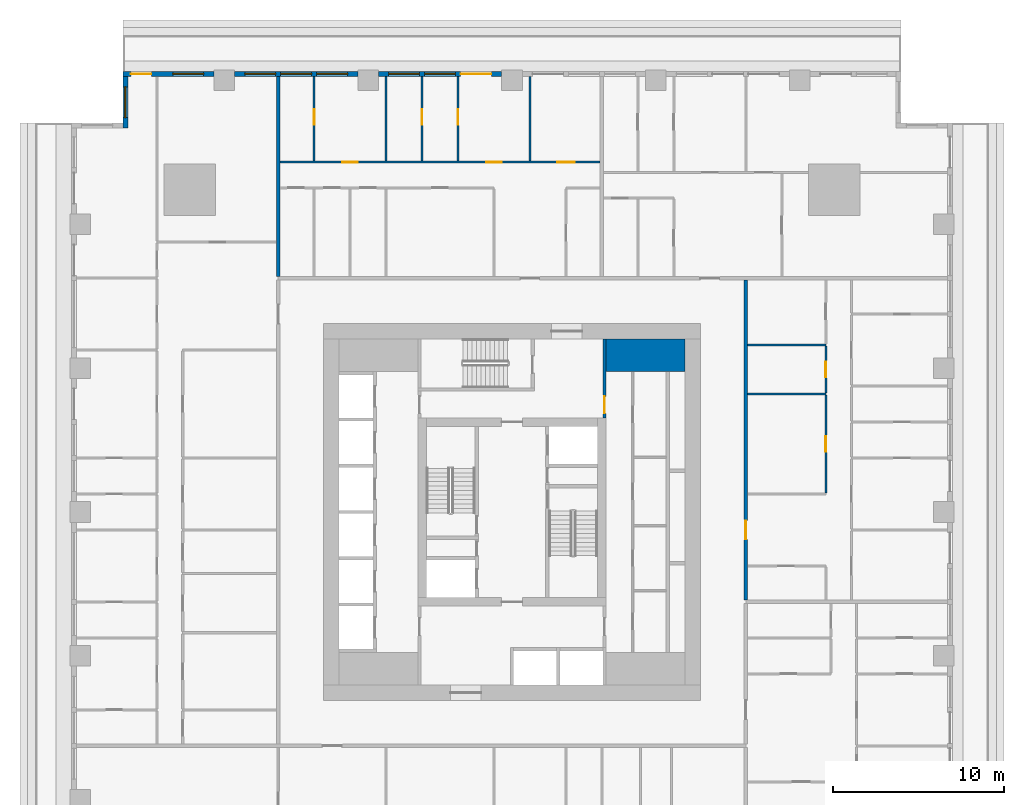
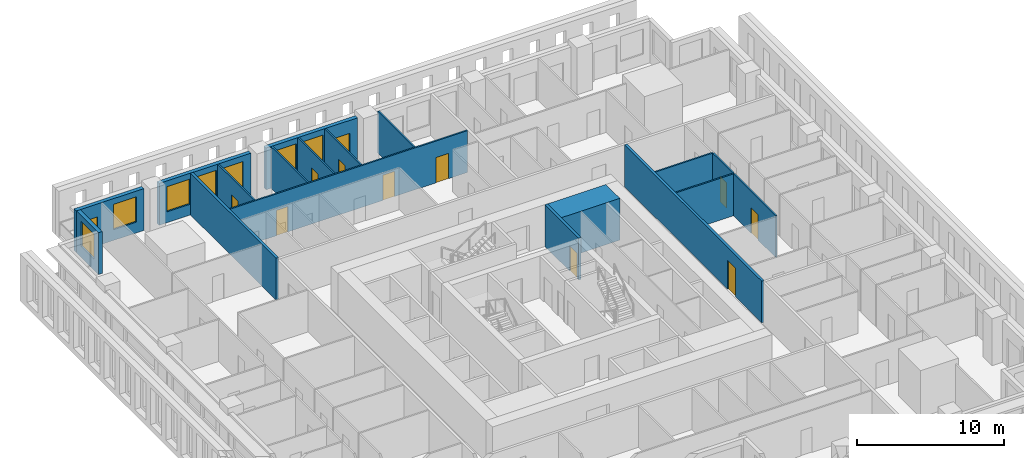
# One storey, part 8 of 15: 18 walls, 12 doors, 7 windows, 19 openings.
"""IFC4 building model written with IfcOpenShell, lengths in metres."""

from ifc_helpers import new_model, si_unit, direction, frame, frame_2d, origin, place, context, subcontext, project, spatial, rectangle, extrude, material, layer, layer_set, type_object, element, fill, save


model = new_model("IFC4")

# Units and contexts
model_context = context("Model", 3, precision=1e-05, world=origin(), true_north=direction((0.0, 1.0)))
body_context = subcontext(model_context, "Body", "Model", "MODEL_VIEW")
ifc_project = project(units=[si_unit("LENGTHUNIT", "METRE"), si_unit("AREAUNIT", "SQUARE_METRE"), si_unit("VOLUMEUNIT", "CUBIC_METRE"), si_unit("PLANEANGLEUNIT", "RADIAN"), si_unit("MASSUNIT", "GRAM", prefix="KILO")], contexts=[model_context])

# Site, building, storey
site_placement = place(None, origin())
site = spatial("IfcSite", under=ifc_project, at=site_placement, CompositionType="ELEMENT")
building_placement = place(site_placement, origin())
building = spatial("IfcBuilding", under=site, at=building_placement, Name="Khepri Terraces", CompositionType="ELEMENT")
storey_placement = place(building_placement, frame((0.0, 0.0, 30.89990234375)))
storey = spatial("IfcBuildingStorey", under=building, at=storey_placement, Name="L06", CompositionType="ELEMENT", Elevation=30.89990234375)

# Wall
ifc_material_1 = material(Name="Concrete C80/95", Category="concrete")
ifc_layer_1 = layer(ifc_material_1, 1.89990234375, Name="Concrete C80/95", Category="concrete")
ifc_layer_set_1 = layer_set([ifc_layer_1], Name="Concrete C80/95")
wall_type_1 = type_object("IfcWallType", Name="Core wall 1900 C80/95", PredefinedType="SHEAR", material=ifc_layer_set_1)
wall_1_placement = place(storey_placement, frame((5.5, 9.14990234375, 0.0), z_axis=(0.0, 0.0, 1.0), x_axis=(1.0, 0.0, 0.0)))
element("IfcWall", 1, at=wall_1_placement, inside=storey, type_object=wall_type_1, Name="Core wall PR04 L06", PredefinedType="SHEAR", context=body_context, shape_type="SweptSolid", body=[
    extrude(rectangle(XDim=4.60009765625, YDim=1.89990234375, at=frame_2d((2.300048828125, 0.0))), origin(), (0.0, 0.0, 1.0), 3.47998046875),
])

# Wall, opening, door
ifc_material_2 = material(Name="Fire-rated gypsum board partition")
ifc_layer_2 = layer(ifc_material_2, 0.199951171875, Name="Fire-rated gypsum board partition")
ifc_layer_set_2 = layer_set([ifc_layer_2], Name="Fire-rated gypsum board partition")
wall_type_2 = type_object("IfcWallType", Name="WL-CORE-PART-200", PredefinedType="PARTITIONING", material=ifc_layer_set_2)
wall_2_placement = place(storey_placement, frame((5.39990234375, 5.5, 0.0), z_axis=(0.0, 0.0, 1.0), x_axis=(0.0, 1.0, 0.0)))
wall_2 = element("IfcWall", 2, at=wall_2_placement, inside=storey, type_object=wall_type_2, Name="Core partition PT08 L06", PredefinedType="PARTITIONING", context=body_context, shape_type="SweptSolid", body=[
    extrude(rectangle(XDim=4.60009765625, YDim=0.199951171875, at=frame_2d((2.300048828125, 0.0))), origin(), (0.0, 0.0, 1.0), 3.47998046875),
])
opening_1_placement = place(wall_2_placement, frame((0.25, 0.0, 0.0)))
opening_1 = element("IfcOpeningElement", 3, at=opening_1_placement, cuts=wall_2, Name="Opening L06-C17", PredefinedType="OPENING", context=body_context, shape_type="SweptSolid", body=[
    extrude(rectangle(XDim=1.0, YDim=2.10009765625, at=frame_2d((0.5, 1.050048828125))), frame((0.0, 0.10986328125, 0.0), z_axis=(0.0, -1.0, 0.0), x_axis=(1.0, 0.0, 0.0)), (0.0, 0.0, 1.0), 0.219970703125),
])
ifc_material_3 = material(Name="Painted steel", Category="steel")
door_type_1 = type_object("IfcDoorType", Name="DR-CORE-LOBBY-1000", OperationType="NOTDEFINED", PredefinedType="DOOR", material=ifc_material_3)
door_1_placement = place(opening_1_placement, origin())
door_1 = element("IfcDoor", 4, at=door_1_placement, inside=storey, type_object=door_type_1, Name="Lobby door L06-C17", OperationType="SINGLE_SWING_LEFT", OverallHeight=2.10009765625, OverallWidth=1.0, PredefinedType="DOOR", context=body_context, shape_type="SweptSolid", body=[
    extrude(rectangle(XDim=1.0, YDim=2.10009765625, at=frame_2d((0.5, 1.050048828125))), frame((0.0, 0.02490234375, 0.0), z_axis=(0.0, -1.0, 0.0), x_axis=(1.0, 0.0, 0.0)), (0.0, 0.0, 1.0), 0.050048828125),
])
fill(opening_1, door_1)

ifc_material_4 = material(Name="Fire-rated gypsum plasterboard partition, mineral wool")
ifc_layer_3 = layer(ifc_material_4, 0.199951171875, Name="Fire-rated gypsum plasterboard partition, mineral wool")
ifc_layer_set_3 = layer_set([ifc_layer_3], Name="Fire-rated gypsum plasterboard partition, mineral wool")
wall_type_3 = type_object("IfcWallType", Name="WL-CORR-200", PredefinedType="PARTITIONING", material=ifc_layer_set_3)
wall_3_placement = place(storey_placement, frame((13.64990234375, -5.14990234375, 0.0), z_axis=(0.0, 0.0, 1.0), x_axis=(0.0, 1.0, 0.0)))
wall_3 = element("IfcWall", 5, at=wall_3_placement, inside=storey, type_object=wall_type_3, Name="Partition P-048 L06", PredefinedType="PARTITIONING", context=body_context, shape_type="SweptSolid", body=[
    extrude(rectangle(XDim=18.699951171875, YDim=0.199951171875, at=frame_2d((9.35009765625, 0.0))), origin(), (0.0, 0.0, 1.0), 3.47998046875),
])
opening_2_placement = place(wall_3_placement, frame((3.550048828125, 0.0, 0.0)))
opening_2 = element("IfcOpeningElement", 6, at=opening_2_placement, cuts=wall_3, Name="Opening D1", PredefinedType="OPENING", context=body_context, shape_type="SweptSolid", body=[
    extrude(rectangle(XDim=1.10009765625, YDim=2.39990234375, at=frame_2d((0.550048828125, 1.199951171875))), frame((0.0, 0.10986328125, 0.0), z_axis=(0.0, -1.0, 0.0), x_axis=(1.0, 0.0, 0.0)), (0.0, 0.0, 1.0), 0.219970703125),
])
ifc_material_5 = material(Name="Solid-core timber door leaf, flat entrance door", Category="wood")
door_type_2 = type_object("IfcDoorType", Name="DR-ENT-1100", OperationType="NOTDEFINED", PredefinedType="DOOR", material=ifc_material_5)
door_2_placement = place(opening_2_placement, frame((1.10009765625, 0.0, 0.0), z_axis=(0.0, 0.0, 1.0), x_axis=(-1.0, 0.0, 0.0)))
door_2 = element("IfcDoor", 7, at=door_2_placement, inside=storey, type_object=door_type_2, Name="Flat B2 entrance door", OperationType="SINGLE_SWING_RIGHT", OverallHeight=2.39990234375, OverallWidth=1.10009765625, PredefinedType="DOOR", context=body_context, shape_type="SweptSolid", body=[
    extrude(rectangle(XDim=1.10009765625, YDim=2.39990234375, at=frame_2d((0.550048828125, 1.199951171875))), frame((0.0, 0.02490234375, 0.0), z_axis=(0.0, -1.0, 0.0), x_axis=(1.0, 0.0, 0.0)), (0.0, 0.0, 1.0), 0.050048828125),
])
fill(opening_2, door_2)

# Wall
wall_4_placement = place(storey_placement, frame((-13.64990234375, 13.75, 0.0), z_axis=(0.0, 0.0, 1.0), x_axis=(0.0, 1.0, 0.0)))
element("IfcWall", 8, at=wall_4_placement, inside=storey, type_object=wall_type_3, Name="Partition P-086 L06", PredefinedType="PARTITIONING", context=body_context, shape_type="SweptSolid", body=[
    extrude(rectangle(XDim=11.669921875, YDim=0.199951171875, at=frame_2d((5.8349609375, 0.0))), origin(), (0.0, 0.0, 1.0), 3.47998046875),
])

# Wall, openings, door, windows
ifc_material_6 = material(Name="Precast concrete C50/60 warm stone", Category="masonry")
ifc_layer_4 = layer(ifc_material_6, 0.300048828125, Name="Precast concrete C50/60 warm stone", Category="masonry")
ifc_layer_set_4 = layer_set([ifc_layer_4], Name="Precast concrete C50/60 warm stone")
wall_type_4 = type_object("IfcWallType", Name="WL-EXT-PRECAST-300", PredefinedType="STANDARD", material=ifc_layer_set_4)
wall_5_placement = place(storey_placement, frame((-0.60009765625, 25.570068359375, 0.0), z_axis=(0.0, 0.0, 1.0), x_axis=(-1.0, 0.0, 0.0)))
wall_5 = element("IfcWall", 9, at=wall_5_placement, inside=storey, type_object=wall_type_4, Name="External wall L06 N", PredefinedType="STANDARD", context=body_context, shape_type="SweptSolid", body=[
    extrude(rectangle(XDim=7.199951171875, YDim=0.300048828125, at=frame_2d((3.60009765625, 0.0))), origin(), (0.0, 0.0, 1.0), 3.47998046875),
])
opening_3_placement = place(wall_5_placement, frame((0.60009765625, 0.0, 0.0)))
opening_3 = element("IfcOpeningElement", 10, at=opening_3_placement, cuts=wall_5, Name="Opening ED-L06-11", PredefinedType="OPENING", context=body_context, shape_type="SweptSolid", body=[
    extrude(rectangle(XDim=1.800048828125, YDim=2.39990234375, at=frame_2d((0.89990234375, 1.199951171875))), frame((0.0, 0.16015625, 0.0), z_axis=(0.0, -1.0, 0.0), x_axis=(1.0, 0.0, 0.0)), (0.0, 0.0, 1.0), 0.320068359375),
])
opening_4_placement = place(wall_5_placement, frame((2.699951171875, 0.0, 0.89990234375)))
opening_4 = element("IfcOpeningElement", 11, at=opening_4_placement, cuts=wall_5, Name="Opening W1", PredefinedType="OPENING", context=body_context, shape_type="SweptSolid", body=[
    extrude(rectangle(XDim=1.800048828125, YDim=2.10009765625, at=frame_2d((0.89990234375, 1.050048828125))), frame((0.0, 0.16015625, 0.0), z_axis=(0.0, -1.0, 0.0), x_axis=(1.0, 0.0, 0.0)), (0.0, 0.0, 1.0), 0.320068359375),
])
opening_5_placement = place(wall_5_placement, frame((4.800048828125, 0.0, 0.89990234375)))
opening_5 = element("IfcOpeningElement", 12, at=opening_5_placement, cuts=wall_5, Name="Opening W1", PredefinedType="OPENING", context=body_context, shape_type="SweptSolid", body=[
    extrude(rectangle(XDim=1.800048828125, YDim=2.10009765625, at=frame_2d((0.89990234375, 1.050048828125))), frame((0.0, 0.16015625, 0.0), z_axis=(0.0, -1.0, 0.0), x_axis=(1.0, 0.0, 0.0)), (0.0, 0.0, 1.0), 0.320068359375),
])
ifc_material_7 = material(Name="Anodised aluminium bronze glazed door", Category="aluminium")
door_type_3 = type_object("IfcDoorType", Name="DR-BAL-SLIDE-1800x2400", OperationType="NOTDEFINED", PredefinedType="DOOR", material=ifc_material_7)
door_3_placement = place(opening_3_placement, origin())
door_3 = element("IfcDoor", 13, at=door_3_placement, inside=storey, type_object=door_type_3, Name="Balcony door L06 N", OperationType="SLIDING_TO_LEFT", OverallHeight=2.39990234375, OverallWidth=1.800048828125, PredefinedType="DOOR", context=body_context, shape_type="SweptSolid", body=[
    extrude(rectangle(XDim=1.800048828125, YDim=2.39990234375, at=frame_2d((0.89990234375, 1.199951171875))), frame((0.0, 0.02490234375, 0.0), z_axis=(0.0, -1.0, 0.0), x_axis=(1.0, 0.0, 0.0)), (0.0, 0.0, 1.0), 0.050048828125),
])
fill(opening_3, door_3)
ifc_material_8 = material(Name="Clear glass", Category="glass")
window_type = type_object("IfcWindowType", Name="WIN-RES-1800x2100", PartitioningType="SINGLE_PANEL", PredefinedType="WINDOW", material=ifc_material_8)
window_1_placement = place(opening_4_placement, origin())
window_1 = element("IfcWindow", 14, at=window_1_placement, inside=storey, type_object=window_type, Name="Window L06 N", OverallHeight=2.10009765625, OverallWidth=1.800048828125, PartitioningType="SINGLE_PANEL", PredefinedType="WINDOW", context=body_context, shape_type="SweptSolid", body=[
    extrude(rectangle(XDim=1.800048828125, YDim=2.10009765625, at=frame_2d((0.89990234375, 1.050048828125))), frame((0.0, 0.030029296875, 0.0), z_axis=(0.0, -1.0, 0.0), x_axis=(1.0, 0.0, 0.0)), (0.0, 0.0, 1.0), 0.06005859375),
])
fill(opening_4, window_1)
window_2_placement = place(opening_5_placement, origin())
window_2 = element("IfcWindow", 15, at=window_2_placement, inside=storey, type_object=window_type, Name="Window L06 N", OverallHeight=2.10009765625, OverallWidth=1.800048828125, PartitioningType="SINGLE_PANEL", PredefinedType="WINDOW", context=body_context, shape_type="SweptSolid", body=[
    extrude(rectangle(XDim=1.800048828125, YDim=2.10009765625, at=frame_2d((0.89990234375, 1.050048828125))), frame((0.0, 0.030029296875, 0.0), z_axis=(0.0, -1.0, 0.0), x_axis=(1.0, 0.0, 0.0)), (0.0, 0.0, 1.0), 0.06005859375),
])
fill(opening_5, window_2)

# Wall, openings, windows
wall_6_placement = place(storey_placement, frame((-9.0, 25.570068359375, 0.0), z_axis=(0.0, 0.0, 1.0), x_axis=(-1.0, 0.0, 0.0)))
wall_6 = element("IfcWall", 16, at=wall_6_placement, inside=storey, type_object=wall_type_4, Name="External wall L06 N", PredefinedType="STANDARD", context=body_context, shape_type="SweptSolid", body=[
    extrude(rectangle(XDim=7.199951171875, YDim=0.300048828125, at=frame_2d((3.60009765625, 0.0))), origin(), (0.0, 0.0, 1.0), 3.47998046875),
])
opening_6_placement = place(wall_6_placement, frame((0.60009765625, 0.0, 0.89990234375)))
opening_6 = element("IfcOpeningElement", 17, at=opening_6_placement, cuts=wall_6, Name="Opening W1", PredefinedType="OPENING", context=body_context, shape_type="SweptSolid", body=[
    extrude(rectangle(XDim=1.800048828125, YDim=2.10009765625, at=frame_2d((0.89990234375, 1.050048828125))), frame((0.0, 0.16015625, 0.0), z_axis=(0.0, -1.0, 0.0), x_axis=(1.0, 0.0, 0.0)), (0.0, 0.0, 1.0), 0.320068359375),
])
opening_7_placement = place(wall_6_placement, frame((2.699951171875, 0.0, 0.89990234375)))
opening_7 = element("IfcOpeningElement", 18, at=opening_7_placement, cuts=wall_6, Name="Opening W1", PredefinedType="OPENING", context=body_context, shape_type="SweptSolid", body=[
    extrude(rectangle(XDim=1.800048828125, YDim=2.10009765625, at=frame_2d((0.89990234375, 1.050048828125))), frame((0.0, 0.16015625, 0.0), z_axis=(0.0, -1.0, 0.0), x_axis=(1.0, 0.0, 0.0)), (0.0, 0.0, 1.0), 0.320068359375),
])
opening_8_placement = place(wall_6_placement, frame((4.800048828125, 0.0, 0.89990234375)))
opening_8 = element("IfcOpeningElement", 19, at=opening_8_placement, cuts=wall_6, Name="Opening W1", PredefinedType="OPENING", context=body_context, shape_type="SweptSolid", body=[
    extrude(rectangle(XDim=1.800048828125, YDim=2.10009765625, at=frame_2d((0.89990234375, 1.050048828125))), frame((0.0, 0.16015625, 0.0), z_axis=(0.0, -1.0, 0.0), x_axis=(1.0, 0.0, 0.0)), (0.0, 0.0, 1.0), 0.320068359375),
])
window_3_placement = place(opening_6_placement, origin())
window_3 = element("IfcWindow", 20, at=window_3_placement, inside=storey, type_object=window_type, Name="Window L06 N", OverallHeight=2.10009765625, OverallWidth=1.800048828125, PartitioningType="SINGLE_PANEL", PredefinedType="WINDOW", context=body_context, shape_type="SweptSolid", body=[
    extrude(rectangle(XDim=1.800048828125, YDim=2.10009765625, at=frame_2d((0.89990234375, 1.050048828125))), frame((0.0, 0.030029296875, 0.0), z_axis=(0.0, -1.0, 0.0), x_axis=(1.0, 0.0, 0.0)), (0.0, 0.0, 1.0), 0.06005859375),
])
fill(opening_6, window_3)
window_4_placement = place(opening_7_placement, origin())
window_4 = element("IfcWindow", 21, at=window_4_placement, inside=storey, type_object=window_type, Name="Window L06 N", OverallHeight=2.10009765625, OverallWidth=1.800048828125, PartitioningType="SINGLE_PANEL", PredefinedType="WINDOW", context=body_context, shape_type="SweptSolid", body=[
    extrude(rectangle(XDim=1.800048828125, YDim=2.10009765625, at=frame_2d((0.89990234375, 1.050048828125))), frame((0.0, 0.030029296875, 0.0), z_axis=(0.0, -1.0, 0.0), x_axis=(1.0, 0.0, 0.0)), (0.0, 0.0, 1.0), 0.06005859375),
])
fill(opening_7, window_4)
window_5_placement = place(opening_8_placement, origin())
window_5 = element("IfcWindow", 22, at=window_5_placement, inside=storey, type_object=window_type, Name="Window L06 N", OverallHeight=2.10009765625, OverallWidth=1.800048828125, PartitioningType="SINGLE_PANEL", PredefinedType="WINDOW", context=body_context, shape_type="SweptSolid", body=[
    extrude(rectangle(XDim=1.800048828125, YDim=2.10009765625, at=frame_2d((0.89990234375, 1.050048828125))), frame((0.0, 0.030029296875, 0.0), z_axis=(0.0, -1.0, 0.0), x_axis=(1.0, 0.0, 0.0)), (0.0, 0.0, 1.0), 0.06005859375),
])
fill(opening_8, window_5)

# Wall, openings, door, window
wall_7_placement = place(storey_placement, frame((-17.39990234375, 25.570068359375, 0.0), z_axis=(0.0, 0.0, 1.0), x_axis=(-1.0, 0.0, 0.0)))
wall_7 = element("IfcWall", 23, at=wall_7_placement, inside=storey, type_object=wall_type_4, Name="External wall L06 N", PredefinedType="STANDARD", context=body_context, shape_type="SweptSolid", body=[
    extrude(rectangle(XDim=5.320068359375, YDim=0.300048828125, at=frame_2d((2.66015625, 0.0))), origin(), (0.0, 0.0, 1.0), 3.47998046875),
])
opening_9_placement = place(wall_7_placement, frame((0.60009765625, 0.0, 0.89990234375)))
opening_9 = element("IfcOpeningElement", 24, at=opening_9_placement, cuts=wall_7, Name="Opening W1", PredefinedType="OPENING", context=body_context, shape_type="SweptSolid", body=[
    extrude(rectangle(XDim=1.800048828125, YDim=2.10009765625, at=frame_2d((0.89990234375, 1.050048828125))), frame((0.0, 0.16015625, 0.0), z_axis=(0.0, -1.0, 0.0), x_axis=(1.0, 0.0, 0.0)), (0.0, 0.0, 1.0), 0.320068359375),
])
opening_10_placement = place(wall_7_placement, frame((3.64501953125, 0.0, 0.0)))
opening_10 = element("IfcOpeningElement", 25, at=opening_10_placement, cuts=wall_7, Name="Opening ED-L06-12", PredefinedType="OPENING", context=body_context, shape_type="SweptSolid", body=[
    extrude(rectangle(XDim=1.199951171875, YDim=2.39990234375, at=frame_2d((0.60009765625, 1.199951171875))), frame((0.0, 0.16015625, 0.0), z_axis=(0.0, -1.0, 0.0), x_axis=(1.0, 0.0, 0.0)), (0.0, 0.0, 1.0), 0.320068359375),
])
door_type_4 = type_object("IfcDoorType", Name="DR-BAL-SLIDE-1200x2400", OperationType="NOTDEFINED", PredefinedType="DOOR", material=ifc_material_7)
door_4_placement = place(opening_10_placement, origin())
door_4 = element("IfcDoor", 26, at=door_4_placement, inside=storey, type_object=door_type_4, Name="Balcony door L06 N", OperationType="SLIDING_TO_RIGHT", OverallHeight=2.39990234375, OverallWidth=1.199951171875, PredefinedType="DOOR", context=body_context, shape_type="SweptSolid", body=[
    extrude(rectangle(XDim=1.199951171875, YDim=2.39990234375, at=frame_2d((0.60009765625, 1.199951171875))), frame((0.0, 0.02490234375, 0.0), z_axis=(0.0, -1.0, 0.0), x_axis=(1.0, 0.0, 0.0)), (0.0, 0.0, 1.0), 0.050048828125),
])
fill(opening_10, door_4)
window_6_placement = place(opening_9_placement, origin())
window_6 = element("IfcWindow", 27, at=window_6_placement, inside=storey, type_object=window_type, Name="Window L06 N", OverallHeight=2.10009765625, OverallWidth=1.800048828125, PartitioningType="SINGLE_PANEL", PredefinedType="WINDOW", context=body_context, shape_type="SweptSolid", body=[
    extrude(rectangle(XDim=1.800048828125, YDim=2.10009765625, at=frame_2d((0.89990234375, 1.050048828125))), frame((0.0, 0.030029296875, 0.0), z_axis=(0.0, -1.0, 0.0), x_axis=(1.0, 0.0, 0.0)), (0.0, 0.0, 1.0), 0.06005859375),
])
fill(opening_9, window_6)

# Wall, opening, window
wall_8_placement = place(storey_placement, frame((-22.570068359375, 25.419921875, 0.0), z_axis=(0.0, 0.0, 1.0), x_axis=(0.0, -1.0, 0.0)))
wall_8 = element("IfcWall", 28, at=wall_8_placement, inside=storey, type_object=wall_type_4, Name="External wall L06 W", PredefinedType="STANDARD", context=body_context, shape_type="SweptSolid", body=[
    extrude(rectangle(XDim=3.0, YDim=0.300048828125, at=frame_2d((1.5, 0.0))), origin(), (0.0, 0.0, 1.0), 3.47998046875),
])
opening_11_placement = place(wall_8_placement, frame((0.60009765625, 0.0, 0.89990234375)))
opening_11 = element("IfcOpeningElement", 29, at=opening_11_placement, cuts=wall_8, Name="Opening W1", PredefinedType="OPENING", context=body_context, shape_type="SweptSolid", body=[
    extrude(rectangle(XDim=1.800048828125, YDim=2.10009765625, at=frame_2d((0.89990234375, 1.050048828125))), frame((0.0, 0.16015625, 0.0), z_axis=(0.0, -1.0, 0.0), x_axis=(1.0, 0.0, 0.0)), (0.0, 0.0, 1.0), 0.320068359375),
])
window_7_placement = place(opening_11_placement, origin())
window_7 = element("IfcWindow", 30, at=window_7_placement, inside=storey, type_object=window_type, Name="Window L06 W", OverallHeight=2.10009765625, OverallWidth=1.800048828125, PartitioningType="SINGLE_PANEL", PredefinedType="WINDOW", context=body_context, shape_type="SweptSolid", body=[
    extrude(rectangle(XDim=1.800048828125, YDim=2.10009765625, at=frame_2d((0.89990234375, 1.050048828125))), frame((0.0, 0.030029296875, 0.0), z_axis=(0.0, -1.0, 0.0), x_axis=(1.0, 0.0, 0.0)), (0.0, 0.0, 1.0), 0.06005859375),
])
fill(opening_11, window_7)

# Wall, opening, door
ifc_material_9 = material(Name="Gypsum plasterboard partition")
ifc_layer_5 = layer(ifc_material_9, 0.1201171875, Name="Gypsum plasterboard partition")
ifc_layer_set_5 = layer_set([ifc_layer_5], Name="Gypsum plasterboard partition")
wall_type_5 = type_object("IfcWallType", Name="WL-PART-120", PredefinedType="PARTITIONING", material=ifc_layer_set_5)
wall_9_placement = place(storey_placement, frame((18.320068359375, 1.110107421875, 0.0), z_axis=(0.0, 0.0, 1.0), x_axis=(0.0, 1.0, 0.0)))
wall_9 = element("IfcWall", 31, at=wall_9_placement, inside=storey, type_object=wall_type_5, Name="Partition P-063 L06", PredefinedType="PARTITIONING", context=body_context, shape_type="SweptSolid", body=[
    extrude(rectangle(XDim=5.72998046875, YDim=0.1201171875, at=frame_2d((2.864990234375, 0.0))), origin(), (0.0, 0.0, 1.0), 3.47998046875),
])
opening_12_placement = place(wall_9_placement, frame((2.4150390625, 0.0, 0.0)))
opening_12 = element("IfcOpeningElement", 32, at=opening_12_placement, cuts=wall_9, Name="Opening D3", PredefinedType="OPENING", context=body_context, shape_type="SweptSolid", body=[
    extrude(rectangle(XDim=0.89990234375, YDim=2.10009765625, at=frame_2d((0.449951171875, 1.050048828125))), frame((0.0, 0.070068359375, 0.0), z_axis=(0.0, -1.0, 0.0), x_axis=(1.0, 0.0, 0.0)), (0.0, 0.0, 1.0), 0.14013671875),
])
ifc_material_10 = material(Name="Timber door leaf", Category="wood")
door_type_5 = type_object("IfcDoorType", Name="DR-INT-900", OperationType="NOTDEFINED", PredefinedType="DOOR", material=ifc_material_10)
door_5_placement = place(opening_12_placement, origin())
door_5 = element("IfcDoor", 33, at=door_5_placement, inside=storey, type_object=door_type_5, Name="Door Kitchen", OperationType="SINGLE_SWING_RIGHT", OverallHeight=2.10009765625, OverallWidth=0.89990234375, PredefinedType="DOOR", context=body_context, shape_type="SweptSolid", body=[
    extrude(rectangle(XDim=0.89990234375, YDim=2.10009765625, at=frame_2d((0.449951171875, 1.050048828125))), frame((0.0, 0.02490234375, 0.0), z_axis=(0.0, -1.0, 0.0), x_axis=(1.0, 0.0, 0.0)), (0.0, 0.0, 1.0), 0.050048828125),
])
fill(opening_12, door_5)

# Wall
wall_10_placement = place(storey_placement, frame((13.75, 6.89990234375, 0.0), z_axis=(0.0, 0.0, 1.0), x_axis=(1.0, 0.0, 0.0)))
element("IfcWall", 34, at=wall_10_placement, inside=storey, type_object=wall_type_5, Name="Partition P-072 L06", PredefinedType="PARTITIONING", context=body_context, shape_type="SweptSolid", body=[
    extrude(rectangle(XDim=4.570068359375, YDim=0.1201171875, at=frame_2d((2.28515625, 0.0))), origin(), (0.0, 0.0, 1.0), 3.47998046875),
])

# Wall, opening, door
wall_11_placement = place(storey_placement, frame((18.320068359375, 6.9599609375, 0.0), z_axis=(0.0, 0.0, 1.0), x_axis=(0.0, 1.0, 0.0)))
wall_11 = element("IfcWall", 35, at=wall_11_placement, inside=storey, type_object=wall_type_5, Name="Partition P-073 L06", PredefinedType="PARTITIONING", context=body_context, shape_type="SweptSolid", body=[
    extrude(rectangle(XDim=2.72998046875, YDim=0.1201171875, at=frame_2d((1.364990234375, 0.0))), origin(), (0.0, 0.0, 1.0), 3.47998046875),
])
opening_13_placement = place(wall_11_placement, frame((0.9150390625, 0.0, 0.0)))
opening_13 = element("IfcOpeningElement", 36, at=opening_13_placement, cuts=wall_11, Name="Opening D4", PredefinedType="OPENING", context=body_context, shape_type="SweptSolid", body=[
    extrude(rectangle(XDim=0.89990234375, YDim=2.10009765625, at=frame_2d((0.449951171875, 1.050048828125))), frame((0.0, 0.070068359375, 0.0), z_axis=(0.0, -1.0, 0.0), x_axis=(1.0, 0.0, 0.0)), (0.0, 0.0, 1.0), 0.14013671875),
])
ifc_material_11 = material(Name="Timber door leaf, moisture resistant", Category="wood")
door_type_6 = type_object("IfcDoorType", Name="DR-WET-900", OperationType="NOTDEFINED", PredefinedType="DOOR", material=ifc_material_11)
door_6_placement = place(opening_13_placement, origin())
door_6 = element("IfcDoor", 37, at=door_6_placement, inside=storey, type_object=door_type_6, Name="Door Powder Room", OperationType="SINGLE_SWING_LEFT", OverallHeight=2.10009765625, OverallWidth=0.89990234375, PredefinedType="DOOR", context=body_context, shape_type="SweptSolid", body=[
    extrude(rectangle(XDim=0.89990234375, YDim=2.10009765625, at=frame_2d((0.449951171875, 1.050048828125))), frame((0.0, 0.02490234375, 0.0), z_axis=(0.0, -1.0, 0.0), x_axis=(1.0, 0.0, 0.0)), (0.0, 0.0, 1.0), 0.050048828125),
])
fill(opening_13, door_6)

# Wall
wall_12_placement = place(storey_placement, frame((13.75, 9.75, 0.0), z_axis=(0.0, 0.0, 1.0), x_axis=(1.0, 0.0, 0.0)))
element("IfcWall", 38, at=wall_12_placement, inside=storey, type_object=wall_type_5, Name="Partition P-079 L06", PredefinedType="PARTITIONING", context=body_context, shape_type="SweptSolid", body=[
    extrude(rectangle(XDim=4.570068359375, YDim=0.1201171875, at=frame_2d((2.28515625, 0.0))), origin(), (0.0, 0.0, 1.0), 3.47998046875),
])

# Wall, openings, doors
wall_13_placement = place(storey_placement, frame((-13.550048828125, 20.419921875, 0.0), z_axis=(0.0, 0.0, 1.0), x_axis=(1.0, 0.0, 0.0)))
wall_13 = element("IfcWall", 39, at=wall_13_placement, inside=storey, type_object=wall_type_5, Name="Partition P-106 L06", PredefinedType="PARTITIONING", context=body_context, shape_type="SweptSolid", body=[
    extrude(rectangle(XDim=18.699951171875, YDim=0.1201171875, at=frame_2d((9.35009765625, 0.0))), origin(), (0.0, 0.0, 1.0), 3.47998046875),
])
opening_14_placement = place(wall_13_placement, frame((16.199951171875, 0.0, 0.0)))
opening_14 = element("IfcOpeningElement", 40, at=opening_14_placement, cuts=wall_13, Name="Opening D2", PredefinedType="OPENING", context=body_context, shape_type="SweptSolid", body=[
    extrude(rectangle(XDim=1.0, YDim=2.10009765625, at=frame_2d((0.5, 1.050048828125))), frame((0.0, 0.070068359375, 0.0), z_axis=(0.0, -1.0, 0.0), x_axis=(1.0, 0.0, 0.0)), (0.0, 0.0, 1.0), 0.14013671875),
])
opening_15_placement = place(wall_13_placement, frame((12.050048828125, 0.0, 0.0)))
opening_15 = element("IfcOpeningElement", 41, at=opening_15_placement, cuts=wall_13, Name="Opening D3", PredefinedType="OPENING", context=body_context, shape_type="SweptSolid", body=[
    extrude(rectangle(XDim=0.89990234375, YDim=2.10009765625, at=frame_2d((0.449951171875, 1.050048828125))), frame((0.0, 0.070068359375, 0.0), z_axis=(0.0, -1.0, 0.0), x_axis=(1.0, 0.0, 0.0)), (0.0, 0.0, 1.0), 0.14013671875),
])
opening_16_placement = place(wall_13_placement, frame((3.64990234375, 0.0, 0.0)))
opening_16 = element("IfcOpeningElement", 42, at=opening_16_placement, cuts=wall_13, Name="Opening D3", PredefinedType="OPENING", context=body_context, shape_type="SweptSolid", body=[
    extrude(rectangle(XDim=0.89990234375, YDim=2.10009765625, at=frame_2d((0.449951171875, 1.050048828125))), frame((0.0, 0.070068359375, 0.0), z_axis=(0.0, -1.0, 0.0), x_axis=(1.0, 0.0, 0.0)), (0.0, 0.0, 1.0), 0.14013671875),
])
ifc_material_12 = material(Name="Timber door leaf, living room door", Category="wood")
door_type_7 = type_object("IfcDoorType", Name="DR-INT-1000", OperationType="NOTDEFINED", PredefinedType="DOOR", material=ifc_material_12)
door_7_placement = place(opening_14_placement, origin())
door_7 = element("IfcDoor", 43, at=door_7_placement, inside=storey, type_object=door_type_7, Name="Door Living Room", OperationType="SINGLE_SWING_RIGHT", OverallHeight=2.10009765625, OverallWidth=1.0, PredefinedType="DOOR", context=body_context, shape_type="SweptSolid", body=[
    extrude(rectangle(XDim=1.0, YDim=2.10009765625, at=frame_2d((0.5, 1.050048828125))), frame((0.0, 0.02490234375, 0.0), z_axis=(0.0, -1.0, 0.0), x_axis=(1.0, 0.0, 0.0)), (0.0, 0.0, 1.0), 0.050048828125),
])
fill(opening_14, door_7)
door_8_placement = place(opening_15_placement, origin())
door_8 = element("IfcDoor", 44, at=door_8_placement, inside=storey, type_object=door_type_5, Name="Door Master Bedroom", OperationType="SINGLE_SWING_RIGHT", OverallHeight=2.10009765625, OverallWidth=0.89990234375, PredefinedType="DOOR", context=body_context, shape_type="SweptSolid", body=[
    extrude(rectangle(XDim=0.89990234375, YDim=2.10009765625, at=frame_2d((0.449951171875, 1.050048828125))), frame((0.0, 0.02490234375, 0.0), z_axis=(0.0, -1.0, 0.0), x_axis=(1.0, 0.0, 0.0)), (0.0, 0.0, 1.0), 0.050048828125),
])
fill(opening_15, door_8)
door_9_placement = place(opening_16_placement, origin())
door_9 = element("IfcDoor", 45, at=door_9_placement, inside=storey, type_object=door_type_5, Name="Door Bedroom", OperationType="SINGLE_SWING_LEFT", OverallHeight=2.10009765625, OverallWidth=0.89990234375, PredefinedType="DOOR", context=body_context, shape_type="SweptSolid", body=[
    extrude(rectangle(XDim=0.89990234375, YDim=2.10009765625, at=frame_2d((0.449951171875, 1.050048828125))), frame((0.0, 0.02490234375, 0.0), z_axis=(0.0, -1.0, 0.0), x_axis=(1.0, 0.0, 0.0)), (0.0, 0.0, 1.0), 0.050048828125),
])
fill(opening_16, door_9)

# Wall, opening, door
wall_14_placement = place(storey_placement, frame((-11.550048828125, 20.47998046875, 0.0), z_axis=(0.0, 0.0, 1.0), x_axis=(0.0, 1.0, 0.0)))
wall_14 = element("IfcWall", 46, at=wall_14_placement, inside=storey, type_object=wall_type_5, Name="Partition P-107 L06", PredefinedType="PARTITIONING", context=body_context, shape_type="SweptSolid", body=[
    extrude(rectangle(XDim=4.93994140625, YDim=0.1201171875, at=frame_2d((2.469970703125, 0.0))), origin(), (0.0, 0.0, 1.0), 3.47998046875),
])
opening_17_placement = place(wall_14_placement, frame((2.139892578125, 0.0, 0.0)))
opening_17 = element("IfcOpeningElement", 47, at=opening_17_placement, cuts=wall_14, Name="Opening D4", PredefinedType="OPENING", context=body_context, shape_type="SweptSolid", body=[
    extrude(rectangle(XDim=0.89990234375, YDim=2.10009765625, at=frame_2d((0.449951171875, 1.050048828125))), frame((0.0, 0.070068359375, 0.0), z_axis=(0.0, -1.0, 0.0), x_axis=(1.0, 0.0, 0.0)), (0.0, 0.0, 1.0), 0.14013671875),
])
door_10_placement = place(opening_17_placement, origin())
door_10 = element("IfcDoor", 48, at=door_10_placement, inside=storey, type_object=door_type_6, Name="Door Bathroom", OperationType="SINGLE_SWING_RIGHT", OverallHeight=2.10009765625, OverallWidth=0.89990234375, PredefinedType="DOOR", context=body_context, shape_type="SweptSolid", body=[
    extrude(rectangle(XDim=0.89990234375, YDim=2.10009765625, at=frame_2d((0.449951171875, 1.050048828125))), frame((0.0, 0.02490234375, 0.0), z_axis=(0.0, -1.0, 0.0), x_axis=(1.0, 0.0, 0.0)), (0.0, 0.0, 1.0), 0.050048828125),
])
fill(opening_17, door_10)

# Wall
wall_15_placement = place(storey_placement, frame((-7.35009765625, 20.47998046875, 0.0), z_axis=(0.0, 0.0, 1.0), x_axis=(0.0, 1.0, 0.0)))
element("IfcWall", 49, at=wall_15_placement, inside=storey, type_object=wall_type_5, Name="Partition P-108 L06", PredefinedType="PARTITIONING", context=body_context, shape_type="SweptSolid", body=[
    extrude(rectangle(XDim=4.93994140625, YDim=0.1201171875, at=frame_2d((2.469970703125, 0.0))), origin(), (0.0, 0.0, 1.0), 3.47998046875),
])

# Wall, opening, door
wall_16_placement = place(storey_placement, frame((-5.25, 20.47998046875, 0.0), z_axis=(0.0, 0.0, 1.0), x_axis=(0.0, 1.0, 0.0)))
wall_16 = element("IfcWall", 50, at=wall_16_placement, inside=storey, type_object=wall_type_5, Name="Partition P-109 L06", PredefinedType="PARTITIONING", context=body_context, shape_type="SweptSolid", body=[
    extrude(rectangle(XDim=4.93994140625, YDim=0.1201171875, at=frame_2d((2.469970703125, 0.0))), origin(), (0.0, 0.0, 1.0), 3.47998046875),
])
opening_18_placement = place(wall_16_placement, frame((2.139892578125, 0.0, 0.0)))
opening_18 = element("IfcOpeningElement", 51, at=opening_18_placement, cuts=wall_16, Name="Opening D4", PredefinedType="OPENING", context=body_context, shape_type="SweptSolid", body=[
    extrude(rectangle(XDim=0.89990234375, YDim=2.10009765625, at=frame_2d((0.449951171875, 1.050048828125))), frame((0.0, 0.070068359375, 0.0), z_axis=(0.0, -1.0, 0.0), x_axis=(1.0, 0.0, 0.0)), (0.0, 0.0, 1.0), 0.14013671875),
])
door_11_placement = place(opening_18_placement, origin())
door_11 = element("IfcDoor", 52, at=door_11_placement, inside=storey, type_object=door_type_6, Name="Door Bathroom", OperationType="SINGLE_SWING_RIGHT", OverallHeight=2.10009765625, OverallWidth=0.89990234375, PredefinedType="DOOR", context=body_context, shape_type="SweptSolid", body=[
    extrude(rectangle(XDim=0.89990234375, YDim=2.10009765625, at=frame_2d((0.449951171875, 1.050048828125))), frame((0.0, 0.02490234375, 0.0), z_axis=(0.0, -1.0, 0.0), x_axis=(1.0, 0.0, 0.0)), (0.0, 0.0, 1.0), 0.050048828125),
])
fill(opening_18, door_11)

wall_17_placement = place(storey_placement, frame((-3.14990234375, 20.47998046875, 0.0), z_axis=(0.0, 0.0, 1.0), x_axis=(0.0, 1.0, 0.0)))
wall_17 = element("IfcWall", 53, at=wall_17_placement, inside=storey, type_object=wall_type_5, Name="Partition P-110 L06", PredefinedType="PARTITIONING", context=body_context, shape_type="SweptSolid", body=[
    extrude(rectangle(XDim=4.93994140625, YDim=0.1201171875, at=frame_2d((2.469970703125, 0.0))), origin(), (0.0, 0.0, 1.0), 3.47998046875),
])
opening_19_placement = place(wall_17_placement, frame((2.139892578125, 0.0, 0.0)))
opening_19 = element("IfcOpeningElement", 54, at=opening_19_placement, cuts=wall_17, Name="Opening D3", PredefinedType="OPENING", context=body_context, shape_type="SweptSolid", body=[
    extrude(rectangle(XDim=0.89990234375, YDim=2.10009765625, at=frame_2d((0.449951171875, 1.050048828125))), frame((0.0, 0.070068359375, 0.0), z_axis=(0.0, -1.0, 0.0), x_axis=(1.0, 0.0, 0.0)), (0.0, 0.0, 1.0), 0.14013671875),
])
door_12_placement = place(opening_19_placement, origin())
door_12 = element("IfcDoor", 55, at=door_12_placement, inside=storey, type_object=door_type_5, Name="Door Dressing Room", OperationType="SINGLE_SWING_RIGHT", OverallHeight=2.10009765625, OverallWidth=0.89990234375, PredefinedType="DOOR", context=body_context, shape_type="SweptSolid", body=[
    extrude(rectangle(XDim=0.89990234375, YDim=2.10009765625, at=frame_2d((0.449951171875, 1.050048828125))), frame((0.0, 0.02490234375, 0.0), z_axis=(0.0, -1.0, 0.0), x_axis=(1.0, 0.0, 0.0)), (0.0, 0.0, 1.0), 0.050048828125),
])
fill(opening_19, door_12)

# Wall
wall_18_placement = place(storey_placement, frame((1.050048828125, 20.47998046875, 0.0), z_axis=(0.0, 0.0, 1.0), x_axis=(0.0, 1.0, 0.0)))
element("IfcWall", 56, at=wall_18_placement, inside=storey, type_object=wall_type_5, Name="Partition P-111 L06", PredefinedType="PARTITIONING", context=body_context, shape_type="SweptSolid", body=[
    extrude(rectangle(XDim=4.93994140625, YDim=0.1201171875, at=frame_2d((2.469970703125, 0.0))), origin(), (0.0, 0.0, 1.0), 3.47998046875),
])

save(model, "model.ifc")
